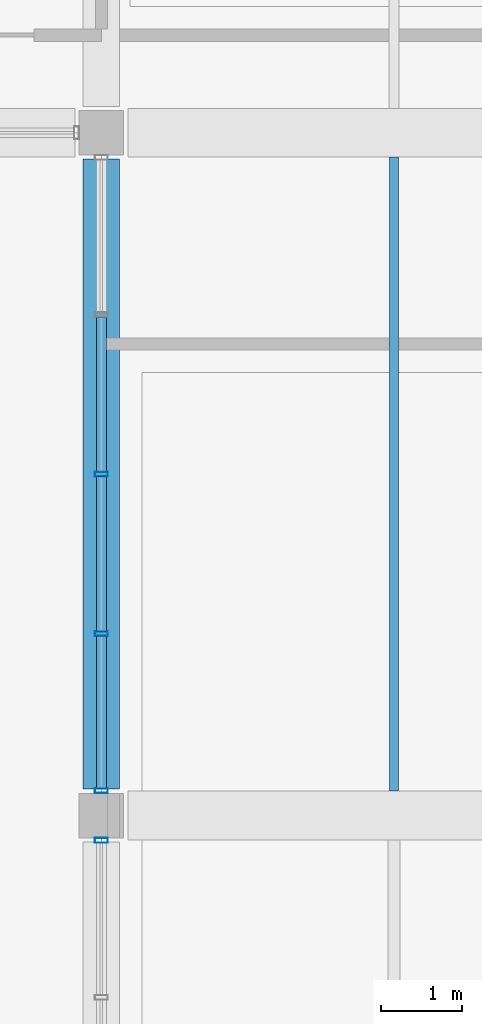
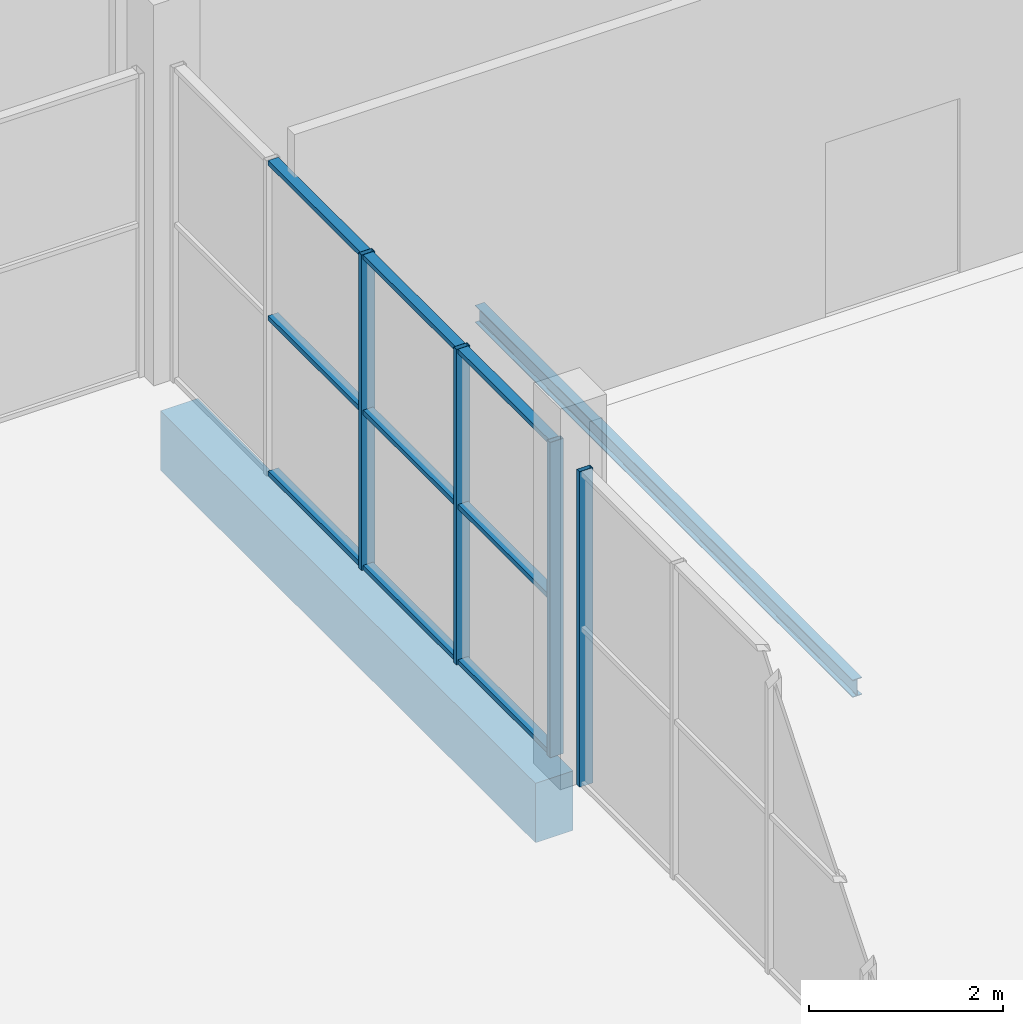
# One storey, part 30 of 130: 13 members, 2 beams, 2 elements without a shape of their own.
"""IFC4 building model written with IfcOpenShell, lengths in metres."""

from ifc_helpers import new_model, si_unit, direction, frame, origin, origin_2d, place, context, subcontext, project, spatial, rectangle, hollow_rectangle, i_section, extrude, material, material_profile, profile_set, type_object, element, aggregate, save


model = new_model("IFC4")

# Units and contexts
model_context = context("Model", 3, precision=1e-05, world=origin(), true_north=direction((0.0, 1.0)))
body_context = subcontext(model_context, "Body", "Model", "MODEL_VIEW")
ifc_project = project(units=[si_unit("LENGTHUNIT", "METRE"), si_unit("AREAUNIT", "SQUARE_METRE"), si_unit("VOLUMEUNIT", "CUBIC_METRE"), si_unit("PLANEANGLEUNIT", "RADIAN"), si_unit("MASSUNIT", "GRAM", prefix="KILO"), si_unit("THERMODYNAMICTEMPERATUREUNIT", "KELVIN")], contexts=[model_context])

# Site, building, storey
site_placement = place(None, origin())
site = spatial("IfcSite", under=ifc_project, at=site_placement, CompositionType="ELEMENT")
building_placement = place(site_placement, origin())
building = spatial("IfcBuilding", under=site, at=building_placement, Name="Nduvali Passage Aquatics Centre", CompositionType="ELEMENT")
storey_placement = place(building_placement, origin())
storey = spatial("IfcBuildingStorey", under=building, at=storey_placement, Name="L00", CompositionType="ELEMENT", Elevation=0.0)

# Curtain wall, member
ifc_material_1 = material(Name="Aluminium EN AW-6063 T6", Category="aluminium")
curtain_wall_type = type_object("IfcCurtainWallType", Name="ENV-CW-COUR", PredefinedType="NOTDEFINED", material=ifc_material_1)
curtain_wall_1_placement = place(storey_placement, origin())
curtain_wall_1 = element("IfcCurtainWall", 1, at=curtain_wall_1_placement, inside=storey, type_object=curtain_wall_type, Name="L00 Courtyard East Cloister CW 168", PredefinedType="NOTDEFINED")
ifc_material_profile_1 = material_profile(ifc_material_1, hollow_rectangle(XDim=0.06005859375, YDim=0.159912109375, WallThickness=0.00390625, at=origin_2d()), Name="ALU MULLION 60x160x4")
ifc_profile_set_1 = profile_set([ifc_material_profile_1], Name="Aluminium EN AW-6063 T6")
member_type_1 = type_object("IfcMemberType", Name="ENV-MEM-MUL60", PredefinedType="MULLION", material=ifc_profile_set_1)
member_1_placement = place(storey_placement, frame((97.199951171875, 8.094970703125, 0.0), z_axis=(0.0, 0.0, 1.0), x_axis=(0.0, 1.0, 0.0)))
member_1 = element("IfcMember", 2, at=member_1_placement, type_object=member_type_1, Name="Courtyard East Cloister CW Mullion 5", PredefinedType="MULLION", context=body_context, shape_type="SweptSolid", body=[
    extrude(hollow_rectangle(XDim=0.06005859375, YDim=0.159912109375, WallThickness=0.00390625, at=origin_2d()), origin(), (0.0, 0.0, 1.0), 3.976318359375),
])
aggregate(curtain_wall_1, [member_1])

# Curtain wall, members
curtain_wall_2_placement = place(storey_placement, origin())
curtain_wall_2 = element("IfcCurtainWall", 3, at=curtain_wall_2_placement, inside=storey, type_object=curtain_wall_type, Name="L00 Courtyard East Cloister CW 172", PredefinedType="NOTDEFINED")
member_2_placement = place(storey_placement, frame((97.199951171875, 8.705078125, 0.0), z_axis=(0.0, 0.0, 1.0), x_axis=(0.0, 1.0, 0.0)))
member_2 = element("IfcMember", 4, at=member_2_placement, type_object=member_type_1, Name="Courtyard East Cloister CW Mullion 1", PredefinedType="MULLION", context=body_context, shape_type="SweptSolid", body=[
    extrude(hollow_rectangle(XDim=0.06005859375, YDim=0.159912109375, WallThickness=0.00390625, at=origin_2d()), origin(), (0.0, 0.0, 1.0), 3.976318359375),
])
member_3_placement = place(storey_placement, frame((97.199951171875, 10.637451171875, 0.0), z_axis=(0.0, 0.0, 1.0), x_axis=(0.0, 1.0, 0.0)))
member_3 = element("IfcMember", 5, at=member_3_placement, type_object=member_type_1, Name="Courtyard East Cloister CW Mullion 2", PredefinedType="MULLION", context=body_context, shape_type="SweptSolid", body=[
    extrude(hollow_rectangle(XDim=0.06005859375, YDim=0.159912109375, WallThickness=0.00390625, at=origin_2d()), origin(), (0.0, 0.0, 1.0), 3.976318359375),
])
member_4_placement = place(storey_placement, frame((97.199951171875, 12.60009765625, 0.0), z_axis=(0.0, 0.0, 1.0), x_axis=(0.0, 1.0, 0.0)))
member_4 = element("IfcMember", 6, at=member_4_placement, type_object=member_type_1, Name="Courtyard East Cloister CW Mullion 3", PredefinedType="MULLION", context=body_context, shape_type="SweptSolid", body=[
    extrude(hollow_rectangle(XDim=0.06005859375, YDim=0.159912109375, WallThickness=0.00390625, at=origin_2d()), origin(), (0.0, 0.0, 1.0), 3.976318359375),
])
ifc_material_profile_2 = material_profile(ifc_material_1, hollow_rectangle(XDim=0.1201171875, YDim=0.06005859375, WallThickness=0.00390625, at=origin_2d()), Name="ALU TRANSOM 120x60x4")
ifc_profile_set_2 = profile_set([ifc_material_profile_2], Name="Aluminium EN AW-6063 T6")
member_type_2 = type_object("IfcMemberType", Name="ENV-MEM-TRN60", PredefinedType="USERDEFINED", material=ifc_profile_set_2)
member_5_placement = place(storey_placement, frame((97.199951171875, 8.735107421875, 0.030029296875), z_axis=(0.0, 1.0, 0.0), x_axis=(-1.0, 0.0, 0.0)))
member_5 = element("IfcMember", 7, at=member_5_placement, type_object=member_type_2, Name="Courtyard East Cloister CW Transom B1-R0", ObjectType="TRANSOM", PredefinedType="USERDEFINED", context=body_context, shape_type="SweptSolid", body=[
    extrude(hollow_rectangle(XDim=0.1201171875, YDim=0.06005859375, WallThickness=0.00390625, at=origin_2d()), origin(), (0.0, 0.0, 1.0), 1.872314453125),
])
member_6_placement = place(storey_placement, frame((97.199951171875, 8.735107421875, 1.98828125), z_axis=(0.0, 1.0, 0.0), x_axis=(-1.0, 0.0, 0.0)))
member_6 = element("IfcMember", 8, at=member_6_placement, type_object=member_type_2, Name="Courtyard East Cloister CW Transom B1-R1", ObjectType="TRANSOM", PredefinedType="USERDEFINED", context=body_context, shape_type="SweptSolid", body=[
    extrude(hollow_rectangle(XDim=0.1201171875, YDim=0.06005859375, WallThickness=0.00390625, at=origin_2d()), origin(), (0.0, 0.0, 1.0), 1.872314453125),
])
member_7_placement = place(storey_placement, frame((97.199951171875, 8.735107421875, 3.9462890625), z_axis=(0.0, 1.0, 0.0), x_axis=(-1.0, 0.0, 0.0)))
member_7 = element("IfcMember", 9, at=member_7_placement, type_object=member_type_2, Name="Courtyard East Cloister CW Transom B1-R2", ObjectType="TRANSOM", PredefinedType="USERDEFINED", context=body_context, shape_type="SweptSolid", body=[
    extrude(hollow_rectangle(XDim=0.1201171875, YDim=0.06005859375, WallThickness=0.00390625, at=origin_2d()), origin(), (0.0, 0.0, 1.0), 1.872314453125),
])
member_8_placement = place(storey_placement, frame((97.199951171875, 10.66748046875, 0.030029296875), z_axis=(0.0, 1.0, 0.0), x_axis=(-1.0, 0.0, 0.0)))
member_8 = element("IfcMember", 10, at=member_8_placement, type_object=member_type_2, Name="Courtyard East Cloister CW Transom B2-R0", ObjectType="TRANSOM", PredefinedType="USERDEFINED", context=body_context, shape_type="SweptSolid", body=[
    extrude(hollow_rectangle(XDim=0.1201171875, YDim=0.06005859375, WallThickness=0.00390625, at=origin_2d()), origin(), (0.0, 0.0, 1.0), 1.902587890625),
])
member_9_placement = place(storey_placement, frame((97.199951171875, 10.66748046875, 1.98828125), z_axis=(0.0, 1.0, 0.0), x_axis=(-1.0, 0.0, 0.0)))
member_9 = element("IfcMember", 11, at=member_9_placement, type_object=member_type_2, Name="Courtyard East Cloister CW Transom B2-R1", ObjectType="TRANSOM", PredefinedType="USERDEFINED", context=body_context, shape_type="SweptSolid", body=[
    extrude(hollow_rectangle(XDim=0.1201171875, YDim=0.06005859375, WallThickness=0.00390625, at=origin_2d()), origin(), (0.0, 0.0, 1.0), 1.902587890625),
])
member_10_placement = place(storey_placement, frame((97.199951171875, 10.66748046875, 3.9462890625), z_axis=(0.0, 1.0, 0.0), x_axis=(-1.0, 0.0, 0.0)))
member_10 = element("IfcMember", 12, at=member_10_placement, type_object=member_type_2, Name="Courtyard East Cloister CW Transom B2-R2", ObjectType="TRANSOM", PredefinedType="USERDEFINED", context=body_context, shape_type="SweptSolid", body=[
    extrude(hollow_rectangle(XDim=0.1201171875, YDim=0.06005859375, WallThickness=0.00390625, at=origin_2d()), origin(), (0.0, 0.0, 1.0), 1.902587890625),
])
member_11_placement = place(storey_placement, frame((97.199951171875, 12.6298828125, 0.030029296875), z_axis=(0.0, 1.0, 0.0), x_axis=(-1.0, 0.0, 0.0)))
member_11 = element("IfcMember", 13, at=member_11_placement, type_object=member_type_2, Name="Courtyard East Cloister CW Transom B3-R0", ObjectType="TRANSOM", PredefinedType="USERDEFINED", context=body_context, shape_type="SweptSolid", body=[
    extrude(hollow_rectangle(XDim=0.1201171875, YDim=0.06005859375, WallThickness=0.00390625, at=origin_2d()), origin(), (0.0, 0.0, 1.0), 1.902587890625),
])
member_12_placement = place(storey_placement, frame((97.199951171875, 12.6298828125, 1.98828125), z_axis=(0.0, 1.0, 0.0), x_axis=(-1.0, 0.0, 0.0)))
member_12 = element("IfcMember", 14, at=member_12_placement, type_object=member_type_2, Name="Courtyard East Cloister CW Transom B3-R1", ObjectType="TRANSOM", PredefinedType="USERDEFINED", context=body_context, shape_type="SweptSolid", body=[
    extrude(hollow_rectangle(XDim=0.1201171875, YDim=0.06005859375, WallThickness=0.00390625, at=origin_2d()), origin(), (0.0, 0.0, 1.0), 1.902587890625),
])
member_13_placement = place(storey_placement, frame((97.199951171875, 12.6298828125, 3.9462890625), z_axis=(0.0, 1.0, 0.0), x_axis=(-1.0, 0.0, 0.0)))
member_13 = element("IfcMember", 15, at=member_13_placement, type_object=member_type_2, Name="Courtyard East Cloister CW Transom B3-R2", ObjectType="TRANSOM", PredefinedType="USERDEFINED", context=body_context, shape_type="SweptSolid", body=[
    extrude(hollow_rectangle(XDim=0.1201171875, YDim=0.06005859375, WallThickness=0.00390625, at=origin_2d()), origin(), (0.0, 0.0, 1.0), 1.902587890625),
])
aggregate(curtain_wall_2, [member_2, member_3, member_4, member_5, member_6, member_7, member_8, member_9, member_10, member_11, member_12, member_13])

# Beams
ifc_material_2 = material(Name="Concrete C40/50", Category="concrete")
ifc_material_profile_3 = material_profile(ifc_material_2, rectangle(XDim=0.449951171875, YDim=0.75, at=origin_2d()), Name="RC 450x750")
ifc_profile_set_3 = profile_set([ifc_material_profile_3], Name="Concrete C40/50")
beam_type_1 = type_object("IfcBeamType", Name="STR-BM-RC4575", PredefinedType="BEAM", material=ifc_profile_set_3)
beam_1_placement = place(storey_placement, frame((97.199951171875, 8.72509765625, -0.675048828125), z_axis=(0.0, 1.0, 0.0), x_axis=(-1.0, 0.0, 0.0)))
element("IfcBeam", 16, at=beam_1_placement, inside=storey, type_object=beam_type_1, Name="L00 Primary Y-Girder B3-0170", PredefinedType="BEAM", context=body_context, shape_type="SweptSolid", body=[
    extrude(rectangle(XDim=0.449951171875, YDim=0.75, at=origin_2d()), origin(), (0.0, 0.0, 1.0), 7.75),
])
ifc_material_3 = material(Name="Steel S355", Category="steel")
ifc_material_profile_4 = material_profile(ifc_material_3, i_section(OverallWidth=0.110107421875, OverallDepth=0.219970703125, WebThickness=0.005859375, FlangeThickness=0.00927734375, FilletRadius=0.011962890625, at=origin_2d()), Name="IPE 220")
ifc_profile_set_4 = profile_set([ifc_material_profile_4], Name="Steel S355")
beam_type_2 = type_object("IfcBeamType", Name="STR-JST-IPE220", PredefinedType="JOIST", material=ifc_profile_set_4)
beam_2_placement = place(storey_placement, frame((100.800048828125, 8.699951171875, -0.4140625), z_axis=(0.0, 1.0, 0.0), x_axis=(-1.0, 0.0, 0.0)))
element("IfcBeam", 17, at=beam_2_placement, inside=storey, type_object=beam_type_2, Name="L00 Secondary Joist J9-0270", PredefinedType="JOIST", context=body_context, shape_type="SweptSolid", body=[
    extrude(i_section(OverallWidth=0.110107421875, OverallDepth=0.219970703125, WebThickness=0.005859375, FlangeThickness=0.00927734375, FilletRadius=0.011962890625, at=origin_2d()), origin(), (0.0, 0.0, 1.0), 7.800048828125),
])

save(model, "model.ifc")
